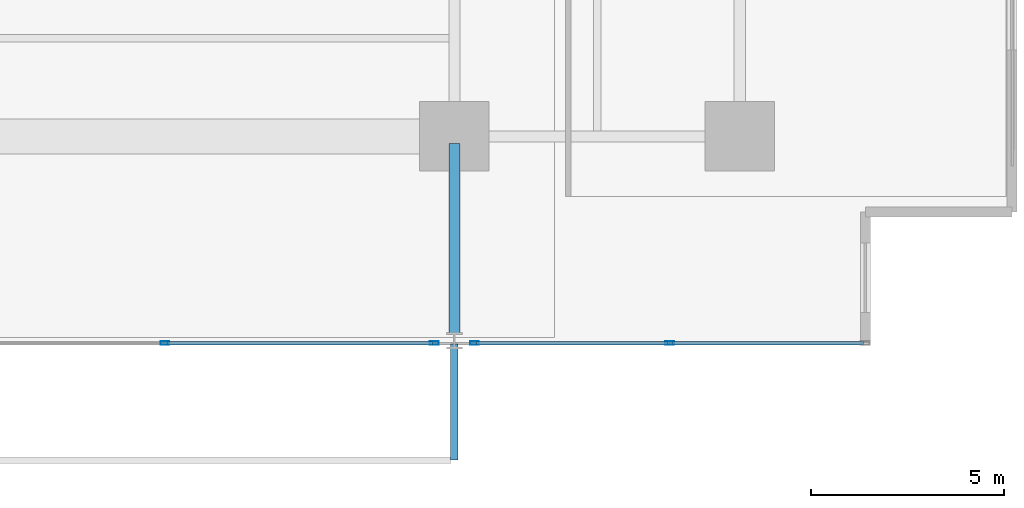
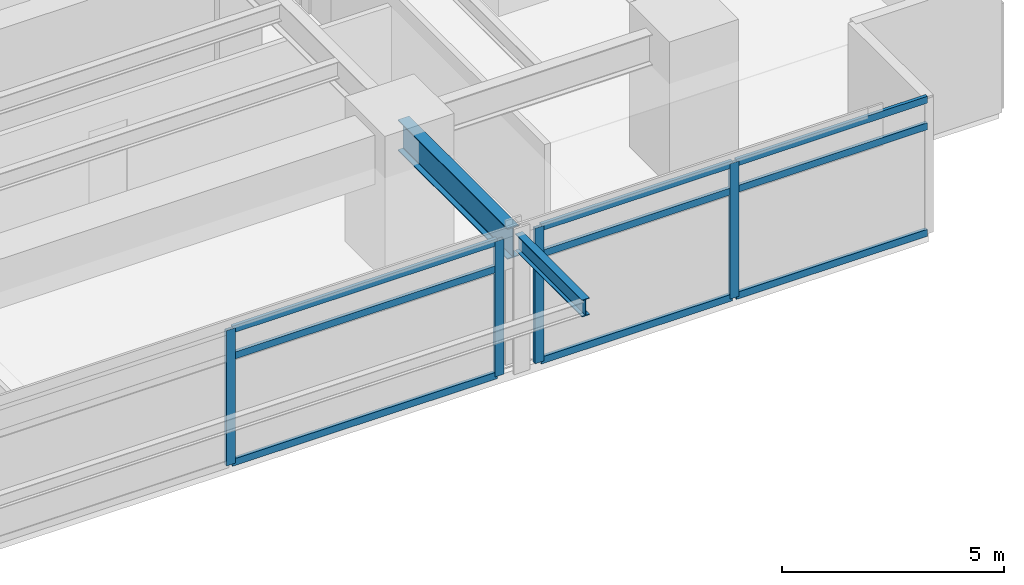
# One storey, part 9 of 21: 13 members, 2 beams, 2 elements without a shape of their own.
"""IFC4 building model written with IfcOpenShell, lengths in metres."""

from ifc_helpers import new_model, si_unit, direction, frame, origin, origin_2d, place, context, subcontext, project, spatial, hollow_rectangle, i_section, extrude, material, material_profile, profile_set, type_object, element, aggregate, save


model = new_model("IFC4")

# Units and contexts
model_context = context("Model", 3, precision=1e-05, world=origin(), true_north=direction((0.0, 1.0)))
body_context = subcontext(model_context, "Body", "Model", "MODEL_VIEW")
ifc_project = project(units=[si_unit("LENGTHUNIT", "METRE"), si_unit("AREAUNIT", "SQUARE_METRE"), si_unit("VOLUMEUNIT", "CUBIC_METRE"), si_unit("PLANEANGLEUNIT", "RADIAN"), si_unit("MASSUNIT", "GRAM", prefix="KILO")], contexts=[model_context])

# Site, building, storey
site_placement = place(None, origin())
site = spatial("IfcSite", under=ifc_project, at=site_placement, CompositionType="ELEMENT")
building_placement = place(site_placement, origin())
building = spatial("IfcBuilding", under=site, at=building_placement, Name="Kovane Verandah Tower", CompositionType="ELEMENT")
storey_placement = place(building_placement, frame((0.0, 0.0, 47.60009765625)))
storey = spatial("IfcBuildingStorey", under=building, at=storey_placement, Name="L10", CompositionType="ELEMENT", Elevation=47.60009765625)

# Beam
ifc_material_1 = material(Name="Steel S355", Category="steel")
ifc_material_profile_1 = material_profile(ifc_material_1, i_section(OverallWidth=0.293701171875, OverallDepth=0.850830078125, WebThickness=0.01611328125, FlangeThickness=0.02685546875, FilletRadius=0.017822265625, at=origin_2d()), Name="UB838x292x226")
ifc_profile_set_1 = profile_set([ifc_material_profile_1], Name="Steel S355")
beam_type_1 = type_object("IfcBeamType", Name="BM-UB838x226", PredefinedType="BEAM", material=ifc_profile_set_1)
beam_1_placement = place(storey_placement, frame((51.0, 10.6201171875, 3.33447265625), z_axis=(0.0, -1.0, 0.0), x_axis=(1.0, 0.0, 0.0)))
element("IfcBeam", 1, at=beam_1_placement, inside=storey, type_object=beam_type_1, Name="L10 Primary Tower Girder G-VS2", PredefinedType="BEAM", context=body_context, shape_type="SweptSolid", body=[
    extrude(i_section(OverallWidth=0.293701171875, OverallDepth=0.850830078125, WebThickness=0.01611328125, FlangeThickness=0.02685546875, FilletRadius=0.017822265625, at=origin_2d()), origin(), (0.0, 0.0, 1.0), 4.940185546875),
])

# Curtain wall, members
ifc_material_2 = material(Name="Champagne Anodised Aluminium Frame with Low-E Clear Laminated Glass", Category="aluminium")
curtain_wall_type = type_object("IfcCurtainWallType", Name="CW-SYS-02-LOW", PredefinedType="NOTDEFINED", material=ifc_material_2)
curtain_wall_1_placement = place(storey_placement, origin())
curtain_wall_1 = element("IfcCurtainWall", 2, at=curtain_wall_1_placement, inside=storey, type_object=curtain_wall_type, Name="L10 S Unitised Curtain Wall-2", PredefinedType="NOTDEFINED")
ifc_material_3 = material(Name="Champagne Anodised Aluminium 6063-T6", Category="aluminium")
ifc_material_profile_2 = material_profile(ifc_material_3, hollow_rectangle(XDim=0.0849609375, YDim=0.22998046875, WallThickness=0.00390625, at=origin_2d()), Name="AL85x230x4")
ifc_profile_set_2 = profile_set([ifc_material_profile_2], Name="Champagne Anodised Aluminium 6063-T6")
member_type_1 = type_object("IfcMemberType", Name="CW-MUL-85x230", PredefinedType="MULLION", material=ifc_profile_set_2)
member_1_placement = place(storey_placement, frame((43.493408203125, 5.438720703125, 0.02001953125), z_axis=(0.0, 0.0, 1.0), x_axis=(0.0, -1.0, 0.0)))
member_1 = element("IfcMember", 3, at=member_1_placement, type_object=member_type_1, Name="L10 S Unitised Curtain Wall-2 Mullion 3", PredefinedType="MULLION", context=body_context, shape_type="SweptSolid", body=[
    extrude(hollow_rectangle(XDim=0.0849609375, YDim=0.22998046875, WallThickness=0.00390625, at=origin_2d()), origin(), (0.0, 0.0, 1.0), 3.719970703125),
])
member_2_placement = place(storey_placement, frame((50.47998046875, 5.438720703125, 0.02001953125), z_axis=(0.0, 0.0, 1.0), x_axis=(0.0, -1.0, 0.0)))
member_2 = element("IfcMember", 4, at=member_2_placement, type_object=member_type_1, Name="L10 S Unitised Curtain Wall-2 Mullion 4", PredefinedType="MULLION", context=body_context, shape_type="SweptSolid", body=[
    extrude(hollow_rectangle(XDim=0.0849609375, YDim=0.22998046875, WallThickness=0.00390625, at=origin_2d()), origin(), (0.0, 0.0, 1.0), 3.719970703125),
])

curtain_wall_2_placement = place(storey_placement, origin())
curtain_wall_2 = element("IfcCurtainWall", 5, at=curtain_wall_2_placement, inside=storey, type_object=curtain_wall_type, Name="L10 S Unitised Curtain Wall-3", PredefinedType="NOTDEFINED")
member_3_placement = place(storey_placement, frame((51.52001953125, 5.438720703125, 0.02001953125), z_axis=(0.0, 0.0, 1.0), x_axis=(0.0, -1.0, 0.0)))
member_3 = element("IfcMember", 6, at=member_3_placement, type_object=member_type_1, Name="L10 S Unitised Curtain Wall-3 Mullion 1", PredefinedType="MULLION", context=body_context, shape_type="SweptSolid", body=[
    extrude(hollow_rectangle(XDim=0.0849609375, YDim=0.22998046875, WallThickness=0.00390625, at=origin_2d()), origin(), (0.0, 0.0, 1.0), 3.719970703125),
])
member_4_placement = place(storey_placement, frame((56.589599609375, 5.438720703125, 0.02001953125), z_axis=(0.0, 0.0, 1.0), x_axis=(0.0, -1.0, 0.0)))
member_4 = element("IfcMember", 7, at=member_4_placement, type_object=member_type_1, Name="L10 S Unitised Curtain Wall-3 Mullion 2", PredefinedType="MULLION", context=body_context, shape_type="SweptSolid", body=[
    extrude(hollow_rectangle(XDim=0.0849609375, YDim=0.22998046875, WallThickness=0.00390625, at=origin_2d()), origin(), (0.0, 0.0, 1.0), 3.719970703125),
])

# Member
ifc_material_profile_3 = material_profile(ifc_material_3, hollow_rectangle(XDim=0.0849609375, YDim=0.18994140625, WallThickness=0.00390625, at=origin_2d()), Name="AL85x190x4")
ifc_profile_set_3 = profile_set([ifc_material_profile_3], Name="Champagne Anodised Aluminium 6063-T6")
member_type_2 = type_object("IfcMemberType", Name="CW-TRN-85x190", PredefinedType="USERDEFINED", material=ifc_profile_set_3)
member_5_placement = place(storey_placement, frame((43.543212890625, 5.438720703125, 0.0498046875), z_axis=(1.0, 0.0, 0.0), x_axis=(0.0, 1.0, 0.0)))
member_5 = element("IfcMember", 8, at=member_5_placement, type_object=member_type_2, Name="L10 S Unitised Curtain Wall-2 Transom TB Bay 3", ObjectType="TRANSOM", PredefinedType="USERDEFINED", context=body_context, shape_type="SweptSolid", body=[
    extrude(hollow_rectangle(XDim=0.0849609375, YDim=0.18994140625, WallThickness=0.00390625, at=origin_2d()), origin(), (0.0, 0.0, 1.0), 6.88671875),
])

member_6_placement = place(storey_placement, frame((43.543212890625, 5.438720703125, 2.97998046875), z_axis=(1.0, 0.0, 0.0), x_axis=(0.0, 1.0, 0.0)))
member_6 = element("IfcMember", 9, at=member_6_placement, type_object=member_type_2, Name="L10 S Unitised Curtain Wall-2 Transom TM Bay 3", ObjectType="TRANSOM", PredefinedType="USERDEFINED", context=body_context, shape_type="SweptSolid", body=[
    extrude(hollow_rectangle(XDim=0.0849609375, YDim=0.18994140625, WallThickness=0.00390625, at=origin_2d()), origin(), (0.0, 0.0, 1.0), 6.88671875),
])

member_7_placement = place(storey_placement, frame((43.543212890625, 5.438720703125, 3.7099609375), z_axis=(1.0, 0.0, 0.0), x_axis=(0.0, 1.0, 0.0)))
member_7 = element("IfcMember", 10, at=member_7_placement, type_object=member_type_2, Name="L10 S Unitised Curtain Wall-2 Transom TT Bay 3", ObjectType="TRANSOM", PredefinedType="USERDEFINED", context=body_context, shape_type="SweptSolid", body=[
    extrude(hollow_rectangle(XDim=0.0849609375, YDim=0.18994140625, WallThickness=0.00390625, at=origin_2d()), origin(), (0.0, 0.0, 1.0), 6.88671875),
])

aggregate(curtain_wall_1, [member_1, member_2, member_5, member_6, member_7])

member_8_placement = place(storey_placement, frame((51.570068359375, 5.438720703125, 0.0498046875), z_axis=(1.0, 0.0, 0.0), x_axis=(0.0, 1.0, 0.0)))
member_8 = element("IfcMember", 11, at=member_8_placement, type_object=member_type_2, Name="L10 S Unitised Curtain Wall-3 Transom TB Bay 1", ObjectType="TRANSOM", PredefinedType="USERDEFINED", context=body_context, shape_type="SweptSolid", body=[
    extrude(hollow_rectangle(XDim=0.0849609375, YDim=0.18994140625, WallThickness=0.00390625, at=origin_2d()), origin(), (0.0, 0.0, 1.0), 4.969482421875),
])

member_9_placement = place(storey_placement, frame((51.570068359375, 5.438720703125, 2.97998046875), z_axis=(1.0, 0.0, 0.0), x_axis=(0.0, 1.0, 0.0)))
member_9 = element("IfcMember", 12, at=member_9_placement, type_object=member_type_2, Name="L10 S Unitised Curtain Wall-3 Transom TM Bay 1", ObjectType="TRANSOM", PredefinedType="USERDEFINED", context=body_context, shape_type="SweptSolid", body=[
    extrude(hollow_rectangle(XDim=0.0849609375, YDim=0.18994140625, WallThickness=0.00390625, at=origin_2d()), origin(), (0.0, 0.0, 1.0), 4.969482421875),
])

member_10_placement = place(storey_placement, frame((51.570068359375, 5.438720703125, 3.7099609375), z_axis=(1.0, 0.0, 0.0), x_axis=(0.0, 1.0, 0.0)))
member_10 = element("IfcMember", 13, at=member_10_placement, type_object=member_type_2, Name="L10 S Unitised Curtain Wall-3 Transom TT Bay 1", ObjectType="TRANSOM", PredefinedType="USERDEFINED", context=body_context, shape_type="SweptSolid", body=[
    extrude(hollow_rectangle(XDim=0.0849609375, YDim=0.18994140625, WallThickness=0.00390625, at=origin_2d()), origin(), (0.0, 0.0, 1.0), 4.969482421875),
])

member_11_placement = place(storey_placement, frame((56.639404296875, 5.438720703125, 0.0498046875), z_axis=(1.0, 0.0, 0.0), x_axis=(0.0, 1.0, 0.0)))
member_11 = element("IfcMember", 14, at=member_11_placement, type_object=member_type_2, Name="L10 S Unitised Curtain Wall-3 Transom TB Bay 2", ObjectType="TRANSOM", PredefinedType="USERDEFINED", context=body_context, shape_type="SweptSolid", body=[
    extrude(hollow_rectangle(XDim=0.0849609375, YDim=0.18994140625, WallThickness=0.00390625, at=origin_2d()), origin(), (0.0, 0.0, 1.0), 4.969482421875),
])

member_12_placement = place(storey_placement, frame((56.639404296875, 5.438720703125, 2.97998046875), z_axis=(1.0, 0.0, 0.0), x_axis=(0.0, 1.0, 0.0)))
member_12 = element("IfcMember", 15, at=member_12_placement, type_object=member_type_2, Name="L10 S Unitised Curtain Wall-3 Transom TM Bay 2", ObjectType="TRANSOM", PredefinedType="USERDEFINED", context=body_context, shape_type="SweptSolid", body=[
    extrude(hollow_rectangle(XDim=0.0849609375, YDim=0.18994140625, WallThickness=0.00390625, at=origin_2d()), origin(), (0.0, 0.0, 1.0), 4.969482421875),
])

member_13_placement = place(storey_placement, frame((56.639404296875, 5.438720703125, 3.7099609375), z_axis=(1.0, 0.0, 0.0), x_axis=(0.0, 1.0, 0.0)))
member_13 = element("IfcMember", 16, at=member_13_placement, type_object=member_type_2, Name="L10 S Unitised Curtain Wall-3 Transom TT Bay 2", ObjectType="TRANSOM", PredefinedType="USERDEFINED", context=body_context, shape_type="SweptSolid", body=[
    extrude(hollow_rectangle(XDim=0.0849609375, YDim=0.18994140625, WallThickness=0.00390625, at=origin_2d()), origin(), (0.0, 0.0, 1.0), 4.969482421875),
])

aggregate(curtain_wall_2, [member_3, member_4, member_8, member_9, member_10, member_11, member_12, member_13])

# Beam
ifc_material_profile_4 = material_profile(ifc_material_1, i_section(OverallWidth=0.19287109375, OverallDepth=0.46728515625, WebThickness=0.011474609375, FlangeThickness=0.01953125, FilletRadius=0.01025390625, at=origin_2d()), Name="UB457x191x98")
ifc_profile_set_4 = profile_set([ifc_material_profile_4], Name="Steel S355")
beam_type_2 = type_object("IfcBeamType", Name="JST-UB457x98", PredefinedType="JOIST", material=ifc_profile_set_4)
beam_2_placement = place(storey_placement, frame((51.0, 5.419921875, 3.5263671875), z_axis=(0.0, -1.0, 0.0), x_axis=(1.0, 0.0, 0.0)))
element("IfcBeam", 17, at=beam_2_placement, inside=storey, type_object=beam_type_2, Name="L10 South Planter Girder 2", PredefinedType="JOIST", context=body_context, shape_type="SweptSolid", body=[
    extrude(i_section(OverallWidth=0.19287109375, OverallDepth=0.46728515625, WebThickness=0.011474609375, FlangeThickness=0.01953125, FilletRadius=0.01025390625, at=origin_2d()), origin(), (0.0, 0.0, 1.0), 3.01611328125),
])

save(model, "model.ifc")
